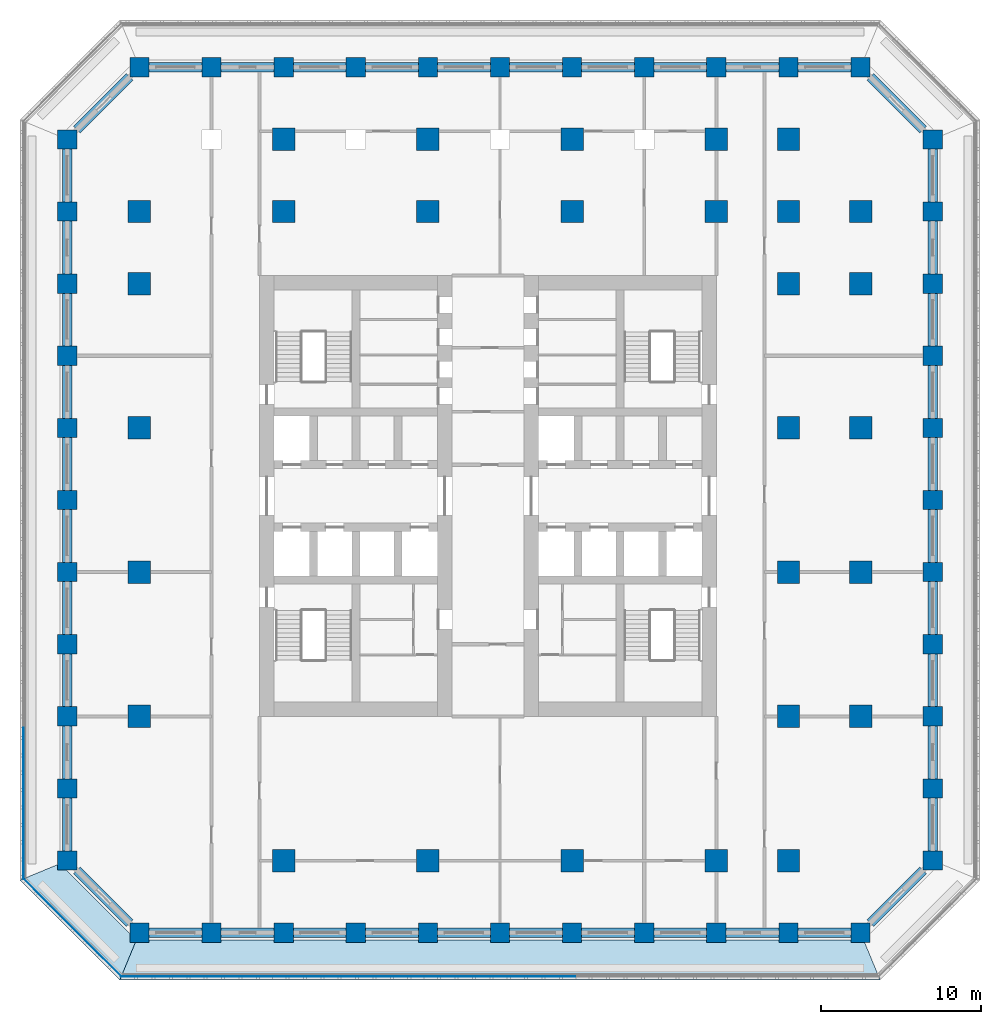
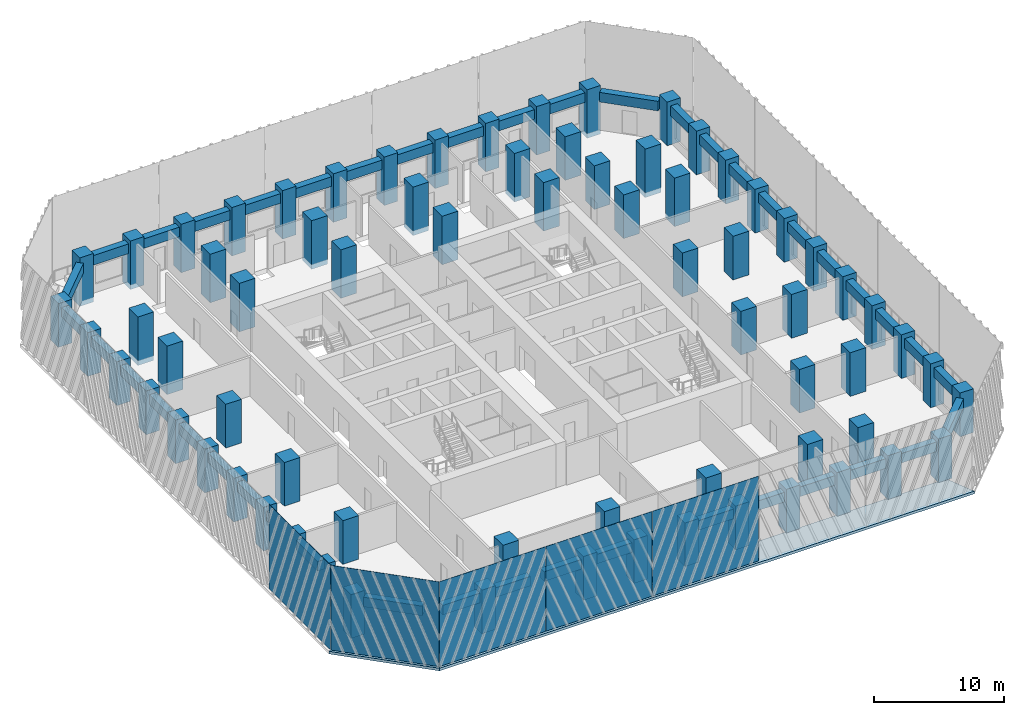
# One storey, part 1 of 19: 73 columns, 44 beams, 5 plates, 2 slabs.
"""IFC4 building model written with IfcOpenShell, lengths in metres."""

from ifc_helpers import new_model, si_unit, direction, frame, origin, origin_2d, place, context, subcontext, project, spatial, polyline, rectangle, outline, extrude, material, layer, layer_set, material_profile, profile_set, type_object, element, save


model = new_model("IFC4")

# Units and contexts
model_context = context("Model", 3, precision=1e-05, world=origin(), true_north=direction((0.0, 1.0)))
body_context = subcontext(model_context, "Body", "Model", "MODEL_VIEW")
ifc_project = project(units=[si_unit("LENGTHUNIT", "METRE"), si_unit("AREAUNIT", "SQUARE_METRE"), si_unit("VOLUMEUNIT", "CUBIC_METRE"), si_unit("PLANEANGLEUNIT", "RADIAN"), si_unit("MASSUNIT", "GRAM", prefix="KILO")], contexts=[model_context])

# Site, building, storey
site_placement = place(None, origin())
site = spatial("IfcSite", under=ifc_project, at=site_placement, CompositionType="ELEMENT")
building_placement = place(site_placement, origin())
building = spatial("IfcBuilding", under=site, at=building_placement, Name="Corbel Stack Research Tower", CompositionType="ELEMENT")
storey_placement = place(building_placement, frame((0.0, 0.0, 82.0)))
storey = spatial("IfcBuildingStorey", under=building, at=storey_placement, Name="L18", CompositionType="ELEMENT", Elevation=82.0)

# Columns
ifc_material_1 = material(Name="Concrete C70/85", Category="concrete")
ifc_material_profile_1 = material_profile(ifc_material_1, rectangle(XDim=1.199951171875, YDim=1.199951171875, at=origin_2d()), Name="RC 1200 x 1200")
ifc_profile_set_1 = profile_set([ifc_material_profile_1], Name="Concrete C70/85")
column_type_1 = type_object("IfcColumnType", Name="C-1200-70", PredefinedType="COLUMN", material=ifc_profile_set_1)
for number, where, z_axis, x_axis, name in (
    (1, (-22.5, -18.0, 0.0), (0.0, 0.0, 1.0), (1.0, 0.0, 0.0), "Column 3/D L18"),
    (2, (-22.5, -13.5, 0.0), (0.0, 0.0, 1.0), (1.0, 0.0, 0.0), "Column 3/E L18"),
    (3, (-22.5, -9.0, 0.0), (0.0, 0.0, 1.0), (1.0, 0.0, 0.0), "Column 3/F L18"),
    (4, (-22.5, -4.5, 0.0), (0.0, 0.0, 1.0), (1.0, 0.0, 0.0), "Column 3/G L18"),
    (5, (-22.5, 0.0, 0.0), (0.0, 0.0, 1.0), (1.0, 0.0, 0.0), "Column 3/H L18"),
    (6, (-22.5, 4.5, 0.0), (0.0, 0.0, 1.0), (1.0, 0.0, 0.0), "Column 3/J L18"),
    (7, (-22.5, 9.0, 0.0), (0.0, 0.0, 1.0), (1.0, 0.0, 0.0), "Column 3/K L18"),
    (8, (-22.5, 13.5, 0.0), (0.0, 0.0, 1.0), (1.0, 0.0, 0.0), "Column 3/L L18"),
    (9, (-22.5, 18.0, 0.0), (0.0, 0.0, 1.0), (1.0, 0.0, 0.0), "Column 3/M L18"),
    (10, (-22.5, 22.5, 0.0), (0.0, 0.0, 1.0), (1.0, 0.0, 0.0), "Column 3/N L18"),
    (11, (-22.5, 27.0, 0.0), (0.0, 0.0, 1.0), (1.0, 0.0, 0.0), "Column 3/P L18"),
    (12, (-18.0, -22.5, 0.0), (0.0, 0.0, 1.0), (1.0, 0.0, 0.0), "Column 4/C L18"),
):
    element("IfcColumn", number, at=place(storey_placement, frame(where, z_axis=z_axis, x_axis=x_axis)), inside=storey, type_object=column_type_1, Name=name, PredefinedType="COLUMN", context=body_context, shape_type="SweptSolid", body=[
        extrude(rectangle(XDim=1.199951171875, YDim=1.199951171875, at=origin_2d()), origin(), (0.0, 0.0, 1.0), 4.10009765625),
    ])
column_1_placement = place(storey_placement, frame((-18.0, 31.5, -0.449951171875), z_axis=(0.0, 0.0, 1.0), x_axis=(1.0, 0.0, 0.0)))
element("IfcColumn", 13, at=column_1_placement, inside=storey, type_object=column_type_1, Name="Column 4/Q L18", PredefinedType="COLUMN", context=body_context, shape_type="SweptSolid", body=[
    extrude(rectangle(XDim=1.199951171875, YDim=1.199951171875, at=origin_2d()), origin(), (0.0, 0.0, 1.0), 4.550048828125),
])
column_2_placement = place(storey_placement, frame((-13.5, -22.5, 0.0), z_axis=(0.0, 0.0, 1.0), x_axis=(1.0, 0.0, 0.0)))
element("IfcColumn", 14, at=column_2_placement, inside=storey, type_object=column_type_1, Name="Column 5/C L18", PredefinedType="COLUMN", context=body_context, shape_type="SweptSolid", body=[
    extrude(rectangle(XDim=1.199951171875, YDim=1.199951171875, at=origin_2d()), origin(), (0.0, 0.0, 1.0), 4.10009765625),
])
column_3_placement = place(storey_placement, frame((-13.5, 31.5, -0.449951171875), z_axis=(0.0, 0.0, 1.0), x_axis=(1.0, 0.0, 0.0)))
element("IfcColumn", 15, at=column_3_placement, inside=storey, type_object=column_type_1, Name="Column 5/Q L18", PredefinedType="COLUMN", context=body_context, shape_type="SweptSolid", body=[
    extrude(rectangle(XDim=1.199951171875, YDim=1.199951171875, at=origin_2d()), origin(), (0.0, 0.0, 1.0), 4.550048828125),
])
column_4_placement = place(storey_placement, frame((-9.0, -22.5, 0.0), z_axis=(0.0, 0.0, 1.0), x_axis=(1.0, 0.0, 0.0)))
element("IfcColumn", 16, at=column_4_placement, inside=storey, type_object=column_type_1, Name="Column 6/C L18", PredefinedType="COLUMN", context=body_context, shape_type="SweptSolid", body=[
    extrude(rectangle(XDim=1.199951171875, YDim=1.199951171875, at=origin_2d()), origin(), (0.0, 0.0, 1.0), 4.10009765625),
])
column_5_placement = place(storey_placement, frame((-9.0, 31.5, -0.449951171875), z_axis=(0.0, 0.0, 1.0), x_axis=(1.0, 0.0, 0.0)))
element("IfcColumn", 17, at=column_5_placement, inside=storey, type_object=column_type_1, Name="Column 6/Q L18", PredefinedType="COLUMN", context=body_context, shape_type="SweptSolid", body=[
    extrude(rectangle(XDim=1.199951171875, YDim=1.199951171875, at=origin_2d()), origin(), (0.0, 0.0, 1.0), 4.550048828125),
])
column_6_placement = place(storey_placement, frame((-4.5, -22.5, 0.0), z_axis=(0.0, 0.0, 1.0), x_axis=(1.0, 0.0, 0.0)))
element("IfcColumn", 18, at=column_6_placement, inside=storey, type_object=column_type_1, Name="Column 7/C L18", PredefinedType="COLUMN", context=body_context, shape_type="SweptSolid", body=[
    extrude(rectangle(XDim=1.199951171875, YDim=1.199951171875, at=origin_2d()), origin(), (0.0, 0.0, 1.0), 4.10009765625),
])
column_7_placement = place(storey_placement, frame((-4.5, 31.5, -0.449951171875), z_axis=(0.0, 0.0, 1.0), x_axis=(1.0, 0.0, 0.0)))
element("IfcColumn", 19, at=column_7_placement, inside=storey, type_object=column_type_1, Name="Column 7/Q L18", PredefinedType="COLUMN", context=body_context, shape_type="SweptSolid", body=[
    extrude(rectangle(XDim=1.199951171875, YDim=1.199951171875, at=origin_2d()), origin(), (0.0, 0.0, 1.0), 4.550048828125),
])
column_8_placement = place(storey_placement, frame((0.0, -22.5, 0.0), z_axis=(0.0, 0.0, 1.0), x_axis=(1.0, 0.0, 0.0)))
element("IfcColumn", 20, at=column_8_placement, inside=storey, type_object=column_type_1, Name="Column 8/C L18", PredefinedType="COLUMN", context=body_context, shape_type="SweptSolid", body=[
    extrude(rectangle(XDim=1.199951171875, YDim=1.199951171875, at=origin_2d()), origin(), (0.0, 0.0, 1.0), 4.10009765625),
])
column_9_placement = place(storey_placement, frame((0.0, 31.5, -0.449951171875), z_axis=(0.0, 0.0, 1.0), x_axis=(1.0, 0.0, 0.0)))
element("IfcColumn", 21, at=column_9_placement, inside=storey, type_object=column_type_1, Name="Column 8/Q L18", PredefinedType="COLUMN", context=body_context, shape_type="SweptSolid", body=[
    extrude(rectangle(XDim=1.199951171875, YDim=1.199951171875, at=origin_2d()), origin(), (0.0, 0.0, 1.0), 4.550048828125),
])
column_10_placement = place(storey_placement, frame((4.5, -22.5, 0.0), z_axis=(0.0, 0.0, 1.0), x_axis=(1.0, 0.0, 0.0)))
element("IfcColumn", 22, at=column_10_placement, inside=storey, type_object=column_type_1, Name="Column 9/C L18", PredefinedType="COLUMN", context=body_context, shape_type="SweptSolid", body=[
    extrude(rectangle(XDim=1.199951171875, YDim=1.199951171875, at=origin_2d()), origin(), (0.0, 0.0, 1.0), 4.10009765625),
])
column_11_placement = place(storey_placement, frame((4.5, 31.5, -0.449951171875), z_axis=(0.0, 0.0, 1.0), x_axis=(1.0, 0.0, 0.0)))
element("IfcColumn", 23, at=column_11_placement, inside=storey, type_object=column_type_1, Name="Column 9/Q L18", PredefinedType="COLUMN", context=body_context, shape_type="SweptSolid", body=[
    extrude(rectangle(XDim=1.199951171875, YDim=1.199951171875, at=origin_2d()), origin(), (0.0, 0.0, 1.0), 4.550048828125),
])
column_12_placement = place(storey_placement, frame((9.0, -22.5, 0.0), z_axis=(0.0, 0.0, 1.0), x_axis=(1.0, 0.0, 0.0)))
element("IfcColumn", 24, at=column_12_placement, inside=storey, type_object=column_type_1, Name="Column 10/C L18", PredefinedType="COLUMN", context=body_context, shape_type="SweptSolid", body=[
    extrude(rectangle(XDim=1.199951171875, YDim=1.199951171875, at=origin_2d()), origin(), (0.0, 0.0, 1.0), 4.10009765625),
])
column_13_placement = place(storey_placement, frame((9.0, 31.5, -0.449951171875), z_axis=(0.0, 0.0, 1.0), x_axis=(1.0, 0.0, 0.0)))
element("IfcColumn", 25, at=column_13_placement, inside=storey, type_object=column_type_1, Name="Column 10/Q L18", PredefinedType="COLUMN", context=body_context, shape_type="SweptSolid", body=[
    extrude(rectangle(XDim=1.199951171875, YDim=1.199951171875, at=origin_2d()), origin(), (0.0, 0.0, 1.0), 4.550048828125),
])
column_14_placement = place(storey_placement, frame((13.5, -22.5, 0.0), z_axis=(0.0, 0.0, 1.0), x_axis=(1.0, 0.0, 0.0)))
element("IfcColumn", 26, at=column_14_placement, inside=storey, type_object=column_type_1, Name="Column 11/C L18", PredefinedType="COLUMN", context=body_context, shape_type="SweptSolid", body=[
    extrude(rectangle(XDim=1.199951171875, YDim=1.199951171875, at=origin_2d()), origin(), (0.0, 0.0, 1.0), 4.10009765625),
])
column_15_placement = place(storey_placement, frame((13.5, 31.5, -0.449951171875), z_axis=(0.0, 0.0, 1.0), x_axis=(1.0, 0.0, 0.0)))
element("IfcColumn", 27, at=column_15_placement, inside=storey, type_object=column_type_1, Name="Column 11/Q L18", PredefinedType="COLUMN", context=body_context, shape_type="SweptSolid", body=[
    extrude(rectangle(XDim=1.199951171875, YDim=1.199951171875, at=origin_2d()), origin(), (0.0, 0.0, 1.0), 4.550048828125),
])
column_16_placement = place(storey_placement, frame((18.0, -22.5, 0.0), z_axis=(0.0, 0.0, 1.0), x_axis=(1.0, 0.0, 0.0)))
element("IfcColumn", 28, at=column_16_placement, inside=storey, type_object=column_type_1, Name="Column 12/C L18", PredefinedType="COLUMN", context=body_context, shape_type="SweptSolid", body=[
    extrude(rectangle(XDim=1.199951171875, YDim=1.199951171875, at=origin_2d()), origin(), (0.0, 0.0, 1.0), 4.10009765625),
])
column_17_placement = place(storey_placement, frame((18.0, 31.5, -0.449951171875), z_axis=(0.0, 0.0, 1.0), x_axis=(1.0, 0.0, 0.0)))
element("IfcColumn", 29, at=column_17_placement, inside=storey, type_object=column_type_1, Name="Column 12/Q L18", PredefinedType="COLUMN", context=body_context, shape_type="SweptSolid", body=[
    extrude(rectangle(XDim=1.199951171875, YDim=1.199951171875, at=origin_2d()), origin(), (0.0, 0.0, 1.0), 4.550048828125),
])
column_18_placement = place(storey_placement, frame((22.5, -22.5, 0.0), z_axis=(0.0, 0.0, 1.0), x_axis=(1.0, 0.0, 0.0)))
element("IfcColumn", 30, at=column_18_placement, inside=storey, type_object=column_type_1, Name="Column 13/C L18", PredefinedType="COLUMN", context=body_context, shape_type="SweptSolid", body=[
    extrude(rectangle(XDim=1.199951171875, YDim=1.199951171875, at=origin_2d()), origin(), (0.0, 0.0, 1.0), 4.10009765625),
])
column_19_placement = place(storey_placement, frame((22.5, 31.5, -0.449951171875), z_axis=(0.0, 0.0, 1.0), x_axis=(1.0, 0.0, 0.0)))
element("IfcColumn", 31, at=column_19_placement, inside=storey, type_object=column_type_1, Name="Column 13/Q L18", PredefinedType="COLUMN", context=body_context, shape_type="SweptSolid", body=[
    extrude(rectangle(XDim=1.199951171875, YDim=1.199951171875, at=origin_2d()), origin(), (0.0, 0.0, 1.0), 4.550048828125),
])
column_20_placement = place(storey_placement, frame((27.0, -22.5, 0.0), z_axis=(0.0, 0.0, 1.0), x_axis=(1.0, 0.0, 0.0)))
element("IfcColumn", 32, at=column_20_placement, inside=storey, type_object=column_type_1, Name="Column 14/C L18", PredefinedType="COLUMN", context=body_context, shape_type="SweptSolid", body=[
    extrude(rectangle(XDim=1.199951171875, YDim=1.199951171875, at=origin_2d()), origin(), (0.0, 0.0, 1.0), 4.10009765625),
])
column_21_placement = place(storey_placement, frame((27.0, 31.5, -0.449951171875), z_axis=(0.0, 0.0, 1.0), x_axis=(1.0, 0.0, 0.0)))
element("IfcColumn", 33, at=column_21_placement, inside=storey, type_object=column_type_1, Name="Column 14/Q L18", PredefinedType="COLUMN", context=body_context, shape_type="SweptSolid", body=[
    extrude(rectangle(XDim=1.199951171875, YDim=1.199951171875, at=origin_2d()), origin(), (0.0, 0.0, 1.0), 4.550048828125),
])
for number, where, z_axis, x_axis, name in (
    (34, (31.5, -18.0, 0.0), (0.0, 0.0, 1.0), (1.0, 0.0, 0.0), "Column 15/D L18"),
    (35, (31.5, -13.5, 0.0), (0.0, 0.0, 1.0), (1.0, 0.0, 0.0), "Column 15/E L18"),
    (36, (31.5, -9.0, 0.0), (0.0, 0.0, 1.0), (1.0, 0.0, 0.0), "Column 15/F L18"),
    (37, (31.5, -4.5, 0.0), (0.0, 0.0, 1.0), (1.0, 0.0, 0.0), "Column 15/G L18"),
    (38, (31.5, 0.0, 0.0), (0.0, 0.0, 1.0), (1.0, 0.0, 0.0), "Column 15/H L18"),
    (39, (31.5, 4.5, 0.0), (0.0, 0.0, 1.0), (1.0, 0.0, 0.0), "Column 15/J L18"),
    (40, (31.5, 9.0, 0.0), (0.0, 0.0, 1.0), (1.0, 0.0, 0.0), "Column 15/K L18"),
    (41, (31.5, 13.5, 0.0), (0.0, 0.0, 1.0), (1.0, 0.0, 0.0), "Column 15/L L18"),
    (42, (31.5, 18.0, 0.0), (0.0, 0.0, 1.0), (1.0, 0.0, 0.0), "Column 15/M L18"),
    (43, (31.5, 22.5, 0.0), (0.0, 0.0, 1.0), (1.0, 0.0, 0.0), "Column 15/N L18"),
    (44, (31.5, 27.0, 0.0), (0.0, 0.0, 1.0), (1.0, 0.0, 0.0), "Column 15/P L18"),
):
    element("IfcColumn", number, at=place(storey_placement, frame(where, z_axis=z_axis, x_axis=x_axis)), inside=storey, type_object=column_type_1, Name=name, PredefinedType="COLUMN", context=body_context, shape_type="SweptSolid", body=[
        extrude(rectangle(XDim=1.199951171875, YDim=1.199951171875, at=origin_2d()), origin(), (0.0, 0.0, 1.0), 4.10009765625),
    ])
ifc_material_2 = material(Name="Concrete C70/85", Category="concrete")
ifc_material_profile_2 = material_profile(ifc_material_2, rectangle(XDim=1.39990234375, YDim=1.39990234375, at=origin_2d()), Name="RC 1400 x 1400")
ifc_profile_set_2 = profile_set([ifc_material_profile_2], Name="Concrete C70/85")
column_type_2 = type_object("IfcColumnType", Name="C-1400-70", PredefinedType="COLUMN", material=ifc_profile_set_2)
for number, where, z_axis, x_axis, name in (
    (45, (-18.0, -9.0, 0.0), (0.0, 0.0, 1.0), (1.0, 0.0, 0.0), "Column 4/F L18"),
    (46, (-18.0, 0.0, 0.0), (0.0, 0.0, 1.0), (1.0, 0.0, 0.0), "Column 4/H L18"),
    (47, (-18.0, 9.0, 0.0), (0.0, 0.0, 1.0), (1.0, 0.0, 0.0), "Column 4/K L18"),
):
    element("IfcColumn", number, at=place(storey_placement, frame(where, z_axis=z_axis, x_axis=x_axis)), inside=storey, type_object=column_type_2, Name=name, PredefinedType="COLUMN", context=body_context, shape_type="SweptSolid", body=[
        extrude(rectangle(XDim=1.39990234375, YDim=1.39990234375, at=origin_2d()), origin(), (0.0, 0.0, 1.0), 4.10009765625),
    ])
for number, where, z_axis, x_axis, name in (
    (48, (-18.0, 18.0, -0.449951171875), (0.0, 0.0, 1.0), (1.0, 0.0, 0.0), "Column 4/M L18"),
    (49, (-18.0, 22.5, -0.449951171875), (0.0, 0.0, 1.0), (1.0, 0.0, 0.0), "Column 4/N L18"),
):
    element("IfcColumn", number, at=place(storey_placement, frame(where, z_axis=z_axis, x_axis=x_axis)), inside=storey, type_object=column_type_2, Name=name, PredefinedType="COLUMN", context=body_context, shape_type="SweptSolid", body=[
        extrude(rectangle(XDim=1.39990234375, YDim=1.39990234375, at=origin_2d()), origin(), (0.0, 0.0, 1.0), 4.550048828125),
    ])
column_22_placement = place(storey_placement, frame((-9.0, -18.0, 0.0), z_axis=(0.0, 0.0, 1.0), x_axis=(1.0, 0.0, 0.0)))
element("IfcColumn", 50, at=column_22_placement, inside=storey, type_object=column_type_2, Name="Column 6/D L18", PredefinedType="COLUMN", context=body_context, shape_type="SweptSolid", body=[
    extrude(rectangle(XDim=1.39990234375, YDim=1.39990234375, at=origin_2d()), origin(), (0.0, 0.0, 1.0), 4.10009765625),
])
for number, where, z_axis, x_axis, name in (
    (51, (-9.0, 22.5, -0.449951171875), (0.0, 0.0, 1.0), (1.0, 0.0, 0.0), "Column 6/N L18"),
    (52, (-9.0, 27.0, -0.449951171875), (0.0, 0.0, 1.0), (1.0, 0.0, 0.0), "Column 6/P L18"),
):
    element("IfcColumn", number, at=place(storey_placement, frame(where, z_axis=z_axis, x_axis=x_axis)), inside=storey, type_object=column_type_2, Name=name, PredefinedType="COLUMN", context=body_context, shape_type="SweptSolid", body=[
        extrude(rectangle(XDim=1.39990234375, YDim=1.39990234375, at=origin_2d()), origin(), (0.0, 0.0, 1.0), 4.550048828125),
    ])
column_23_placement = place(storey_placement, frame((0.0, -18.0, 0.0), z_axis=(0.0, 0.0, 1.0), x_axis=(1.0, 0.0, 0.0)))
element("IfcColumn", 53, at=column_23_placement, inside=storey, type_object=column_type_2, Name="Column 8/D L18", PredefinedType="COLUMN", context=body_context, shape_type="SweptSolid", body=[
    extrude(rectangle(XDim=1.39990234375, YDim=1.39990234375, at=origin_2d()), origin(), (0.0, 0.0, 1.0), 4.10009765625),
])
for number, where, z_axis, x_axis, name in (
    (54, (0.0, 22.5, -0.449951171875), (0.0, 0.0, 1.0), (1.0, 0.0, 0.0), "Column 8/N L18"),
    (55, (0.0, 27.0, -0.449951171875), (0.0, 0.0, 1.0), (1.0, 0.0, 0.0), "Column 8/P L18"),
):
    element("IfcColumn", number, at=place(storey_placement, frame(where, z_axis=z_axis, x_axis=x_axis)), inside=storey, type_object=column_type_2, Name=name, PredefinedType="COLUMN", context=body_context, shape_type="SweptSolid", body=[
        extrude(rectangle(XDim=1.39990234375, YDim=1.39990234375, at=origin_2d()), origin(), (0.0, 0.0, 1.0), 4.550048828125),
    ])
column_24_placement = place(storey_placement, frame((9.0, -18.0, 0.0), z_axis=(0.0, 0.0, 1.0), x_axis=(1.0, 0.0, 0.0)))
element("IfcColumn", 56, at=column_24_placement, inside=storey, type_object=column_type_2, Name="Column 10/D L18", PredefinedType="COLUMN", context=body_context, shape_type="SweptSolid", body=[
    extrude(rectangle(XDim=1.39990234375, YDim=1.39990234375, at=origin_2d()), origin(), (0.0, 0.0, 1.0), 4.10009765625),
])
for number, where, z_axis, x_axis, name in (
    (57, (9.0, 22.5, -0.449951171875), (0.0, 0.0, 1.0), (1.0, 0.0, 0.0), "Column 10/N L18"),
    (58, (9.0, 27.0, -0.449951171875), (0.0, 0.0, 1.0), (1.0, 0.0, 0.0), "Column 10/P L18"),
):
    element("IfcColumn", number, at=place(storey_placement, frame(where, z_axis=z_axis, x_axis=x_axis)), inside=storey, type_object=column_type_2, Name=name, PredefinedType="COLUMN", context=body_context, shape_type="SweptSolid", body=[
        extrude(rectangle(XDim=1.39990234375, YDim=1.39990234375, at=origin_2d()), origin(), (0.0, 0.0, 1.0), 4.550048828125),
    ])
column_25_placement = place(storey_placement, frame((18.0, -18.0, 0.0), z_axis=(0.0, 0.0, 1.0), x_axis=(1.0, 0.0, 0.0)))
element("IfcColumn", 59, at=column_25_placement, inside=storey, type_object=column_type_2, Name="Column 12/D L18", PredefinedType="COLUMN", context=body_context, shape_type="SweptSolid", body=[
    extrude(rectangle(XDim=1.39990234375, YDim=1.39990234375, at=origin_2d()), origin(), (0.0, 0.0, 1.0), 4.10009765625),
])
for number, where, z_axis, x_axis, name in (
    (60, (18.0, 22.5, -0.449951171875), (0.0, 0.0, 1.0), (1.0, 0.0, 0.0), "Column 12/N L18"),
    (61, (18.0, 27.0, -0.449951171875), (0.0, 0.0, 1.0), (1.0, 0.0, 0.0), "Column 12/P L18"),
):
    element("IfcColumn", number, at=place(storey_placement, frame(where, z_axis=z_axis, x_axis=x_axis)), inside=storey, type_object=column_type_2, Name=name, PredefinedType="COLUMN", context=body_context, shape_type="SweptSolid", body=[
        extrude(rectangle(XDim=1.39990234375, YDim=1.39990234375, at=origin_2d()), origin(), (0.0, 0.0, 1.0), 4.550048828125),
    ])
for number, where, z_axis, x_axis, name in (
    (62, (22.5, -18.0, 0.0), (0.0, 0.0, 1.0), (1.0, 0.0, 0.0), "Column 13/D L18"),
    (63, (22.5, -9.0, 0.0), (0.0, 0.0, 1.0), (1.0, 0.0, 0.0), "Column 13/F L18"),
    (64, (22.5, 0.0, 0.0), (0.0, 0.0, 1.0), (1.0, 0.0, 0.0), "Column 13/H L18"),
    (65, (22.5, 9.0, 0.0), (0.0, 0.0, 1.0), (1.0, 0.0, 0.0), "Column 13/K L18"),
    (66, (22.5, 18.0, 0.0), (0.0, 0.0, 1.0), (1.0, 0.0, 0.0), "Column 13/M L18"),
    (67, (22.5, 22.5, 0.0), (0.0, 0.0, 1.0), (1.0, 0.0, 0.0), "Column 13/N L18"),
    (68, (22.5, 27.0, 0.0), (0.0, 0.0, 1.0), (1.0, 0.0, 0.0), "Column 13/P L18"),
    (69, (27.0, -9.0, 0.0), (0.0, 0.0, 1.0), (1.0, 0.0, 0.0), "Column 14/F L18"),
    (70, (27.0, 0.0, 0.0), (0.0, 0.0, 1.0), (1.0, 0.0, 0.0), "Column 14/H L18"),
    (71, (27.0, 9.0, 0.0), (0.0, 0.0, 1.0), (1.0, 0.0, 0.0), "Column 14/K L18"),
):
    element("IfcColumn", number, at=place(storey_placement, frame(where, z_axis=z_axis, x_axis=x_axis)), inside=storey, type_object=column_type_2, Name=name, PredefinedType="COLUMN", context=body_context, shape_type="SweptSolid", body=[
        extrude(rectangle(XDim=1.39990234375, YDim=1.39990234375, at=origin_2d()), origin(), (0.0, 0.0, 1.0), 4.10009765625),
    ])
for number, where, z_axis, x_axis, name in (
    (72, (27.0, 18.0, -0.449951171875), (0.0, 0.0, 1.0), (1.0, 0.0, 0.0), "Column 14/M L18"),
    (73, (27.0, 22.5, -0.449951171875), (0.0, 0.0, 1.0), (1.0, 0.0, 0.0), "Column 14/N L18"),
):
    element("IfcColumn", number, at=place(storey_placement, frame(where, z_axis=z_axis, x_axis=x_axis)), inside=storey, type_object=column_type_2, Name=name, PredefinedType="COLUMN", context=body_context, shape_type="SweptSolid", body=[
        extrude(rectangle(XDim=1.39990234375, YDim=1.39990234375, at=origin_2d()), origin(), (0.0, 0.0, 1.0), 4.550048828125),
    ])

# Beams
ifc_material_3 = material(Name="Concrete C60/75", Category="concrete")
ifc_material_profile_3 = material_profile(ifc_material_3, rectangle(XDim=0.60009765625, YDim=0.89990234375, at=origin_2d()), Name="RC 600 x 900")
ifc_profile_set_3 = profile_set([ifc_material_profile_3], Name="Concrete C60/75")
beam_type = type_object("IfcBeamType", Name="SB-600-900-450", PredefinedType="SPANDREL", material=ifc_profile_set_3)
for number, where, z_axis, x_axis, name in (
    (74, (-17.39990234375, -22.5, 3.199951171875), (1.0, 0.0, 0.0), (0.0, 1.0, 0.0), "Spandrel beam L18-01"),
    (75, (-12.89990234375, -22.5, 3.199951171875), (1.0, 0.0, 0.0), (0.0, 1.0, 0.0), "Spandrel beam L18-02"),
    (76, (-8.39990234375, -22.5, 3.199951171875), (1.0, 0.0, 0.0), (0.0, 1.0, 0.0), "Spandrel beam L18-03"),
    (77, (-3.89990234375, -22.5, 3.199951171875), (1.0, 0.0, 0.0), (0.0, 1.0, 0.0), "Spandrel beam L18-04"),
    (78, (0.60009765625, -22.5, 3.199951171875), (1.0, 0.0, 0.0), (0.0, 1.0, 0.0), "Spandrel beam L18-05"),
    (79, (5.10009765625, -22.5, 3.199951171875), (1.0, 0.0, 0.0), (0.0, 1.0, 0.0), "Spandrel beam L18-06"),
    (80, (9.60009765625, -22.5, 3.199951171875), (1.0, 0.0, 0.0), (0.0, 1.0, 0.0), "Spandrel beam L18-07"),
    (81, (14.10009765625, -22.5, 3.199951171875), (1.0, 0.0, 0.0), (0.0, 1.0, 0.0), "Spandrel beam L18-08"),
    (82, (18.60009765625, -22.5, 3.199951171875), (1.0, 0.0, 0.0), (0.0, 1.0, 0.0), "Spandrel beam L18-09"),
    (83, (23.10009765625, -22.5, 3.199951171875), (1.0, 0.0, 0.0), (0.0, 1.0, 0.0), "Spandrel beam L18-10"),
):
    element("IfcBeam", number, at=place(storey_placement, frame(where, z_axis=z_axis, x_axis=x_axis)), inside=storey, type_object=beam_type, Name=name, PredefinedType="SPANDREL", context=body_context, shape_type="SweptSolid", body=[
        extrude(rectangle(XDim=0.60009765625, YDim=0.89990234375, at=origin_2d()), origin(), (0.0, 0.0, 1.0), 3.2998046875),
    ])
beam_1_placement = place(storey_placement, frame((27.60009765625, -21.89990234375, 3.199951171875), z_axis=(0.707106781187, 0.707106781187, 0.0), x_axis=(-0.707106781187, 0.707106781187, 0.0)))
element("IfcBeam", 84, at=beam_1_placement, inside=storey, type_object=beam_type, Name="Spandrel beam L18-11", PredefinedType="SPANDREL", context=body_context, shape_type="SweptSolid", body=[
    extrude(rectangle(XDim=0.60009765625, YDim=0.89990234375, at=origin_2d()), origin(), (0.0, 0.0, 1.0), 4.666748046875),
])
for number, where, z_axis, x_axis, name in (
    (85, (31.5, -17.39990234375, 3.199951171875), (0.0, 1.0, 0.0), (-1.0, 0.0, 0.0), "Spandrel beam L18-12"),
    (86, (31.5, -12.89990234375, 3.199951171875), (0.0, 1.0, 0.0), (-1.0, 0.0, 0.0), "Spandrel beam L18-13"),
    (87, (31.5, -8.39990234375, 3.199951171875), (0.0, 1.0, 0.0), (-1.0, 0.0, 0.0), "Spandrel beam L18-14"),
    (88, (31.5, -3.89990234375, 3.199951171875), (0.0, 1.0, 0.0), (-1.0, 0.0, 0.0), "Spandrel beam L18-15"),
    (89, (31.5, 0.60009765625, 3.199951171875), (0.0, 1.0, 0.0), (-1.0, 0.0, 0.0), "Spandrel beam L18-16"),
    (90, (31.5, 5.10009765625, 3.199951171875), (0.0, 1.0, 0.0), (-1.0, 0.0, 0.0), "Spandrel beam L18-17"),
    (91, (31.5, 9.60009765625, 3.199951171875), (0.0, 1.0, 0.0), (-1.0, 0.0, 0.0), "Spandrel beam L18-18"),
    (92, (31.5, 14.10009765625, 3.199951171875), (0.0, 1.0, 0.0), (-1.0, 0.0, 0.0), "Spandrel beam L18-19"),
    (93, (31.5, 18.60009765625, 3.199951171875), (0.0, 1.0, 0.0), (-1.0, 0.0, 0.0), "Spandrel beam L18-20"),
    (94, (31.5, 23.10009765625, 3.199951171875), (0.0, 1.0, 0.0), (-1.0, 0.0, 0.0), "Spandrel beam L18-21"),
):
    element("IfcBeam", number, at=place(storey_placement, frame(where, z_axis=z_axis, x_axis=x_axis)), inside=storey, type_object=beam_type, Name=name, PredefinedType="SPANDREL", context=body_context, shape_type="SweptSolid", body=[
        extrude(rectangle(XDim=0.60009765625, YDim=0.89990234375, at=origin_2d()), origin(), (0.0, 0.0, 1.0), 3.2998046875),
    ])
beam_2_placement = place(storey_placement, frame((30.89990234375, 27.60009765625, 3.199951171875), z_axis=(-0.707106781187, 0.707106781187, 0.0), x_axis=(-0.707106781187, -0.707106781187, 0.0)))
element("IfcBeam", 95, at=beam_2_placement, inside=storey, type_object=beam_type, Name="Spandrel beam L18-22", PredefinedType="SPANDREL", context=body_context, shape_type="SweptSolid", body=[
    extrude(rectangle(XDim=0.60009765625, YDim=0.89990234375, at=origin_2d()), origin(), (0.0, 0.0, 1.0), 4.666748046875),
])
for number, where, z_axis, x_axis, name in (
    (96, (26.39990234375, 31.5, 3.199951171875), (-1.0, 0.0, 0.0), (0.0, -1.0, 0.0), "Spandrel beam L18-23"),
    (97, (21.89990234375, 31.5, 3.199951171875), (-1.0, 0.0, 0.0), (0.0, -1.0, 0.0), "Spandrel beam L18-24"),
    (98, (17.39990234375, 31.5, 3.199951171875), (-1.0, 0.0, 0.0), (0.0, -1.0, 0.0), "Spandrel beam L18-25"),
    (99, (12.89990234375, 31.5, 3.199951171875), (-1.0, 0.0, 0.0), (0.0, -1.0, 0.0), "Spandrel beam L18-26"),
    (100, (8.39990234375, 31.5, 3.199951171875), (-1.0, 0.0, 0.0), (0.0, -1.0, 0.0), "Spandrel beam L18-27"),
    (101, (3.89990234375, 31.5, 3.199951171875), (-1.0, 0.0, 0.0), (0.0, -1.0, 0.0), "Spandrel beam L18-28"),
    (102, (-0.60009765625, 31.5, 3.199951171875), (-1.0, 0.0, 0.0), (0.0, -1.0, 0.0), "Spandrel beam L18-29"),
    (103, (-5.10009765625, 31.5, 3.199951171875), (-1.0, 0.0, 0.0), (0.0, -1.0, 0.0), "Spandrel beam L18-30"),
    (104, (-9.60009765625, 31.5, 3.199951171875), (-1.0, 0.0, 0.0), (0.0, -1.0, 0.0), "Spandrel beam L18-31"),
    (105, (-14.10009765625, 31.5, 3.199951171875), (-1.0, 0.0, 0.0), (0.0, -1.0, 0.0), "Spandrel beam L18-32"),
):
    element("IfcBeam", number, at=place(storey_placement, frame(where, z_axis=z_axis, x_axis=x_axis)), inside=storey, type_object=beam_type, Name=name, PredefinedType="SPANDREL", context=body_context, shape_type="SweptSolid", body=[
        extrude(rectangle(XDim=0.60009765625, YDim=0.89990234375, at=origin_2d()), origin(), (0.0, 0.0, 1.0), 3.2998046875),
    ])
beam_3_placement = place(storey_placement, frame((-18.60009765625, 30.89990234375, 3.199951171875), z_axis=(-0.707106781187, -0.707106781187, 0.0), x_axis=(0.707106781187, -0.707106781187, 0.0)))
element("IfcBeam", 106, at=beam_3_placement, inside=storey, type_object=beam_type, Name="Spandrel beam L18-33", PredefinedType="SPANDREL", context=body_context, shape_type="SweptSolid", body=[
    extrude(rectangle(XDim=0.60009765625, YDim=0.89990234375, at=origin_2d()), origin(), (0.0, 0.0, 1.0), 4.666748046875),
])
for number, where, z_axis, x_axis, name in (
    (107, (-22.5, 26.39990234375, 3.199951171875), (0.0, -1.0, 0.0), (1.0, 0.0, 0.0), "Spandrel beam L18-34"),
    (108, (-22.5, 21.89990234375, 3.199951171875), (0.0, -1.0, 0.0), (1.0, 0.0, 0.0), "Spandrel beam L18-35"),
    (109, (-22.5, 17.39990234375, 3.199951171875), (0.0, -1.0, 0.0), (1.0, 0.0, 0.0), "Spandrel beam L18-36"),
    (110, (-22.5, 12.89990234375, 3.199951171875), (0.0, -1.0, 0.0), (1.0, 0.0, 0.0), "Spandrel beam L18-37"),
    (111, (-22.5, 8.39990234375, 3.199951171875), (0.0, -1.0, 0.0), (1.0, 0.0, 0.0), "Spandrel beam L18-38"),
    (112, (-22.5, 3.89990234375, 3.199951171875), (0.0, -1.0, 0.0), (1.0, 0.0, 0.0), "Spandrel beam L18-39"),
    (113, (-22.5, -0.60009765625, 3.199951171875), (0.0, -1.0, 0.0), (1.0, 0.0, 0.0), "Spandrel beam L18-40"),
    (114, (-22.5, -5.10009765625, 3.199951171875), (0.0, -1.0, 0.0), (1.0, 0.0, 0.0), "Spandrel beam L18-41"),
    (115, (-22.5, -9.60009765625, 3.199951171875), (0.0, -1.0, 0.0), (1.0, 0.0, 0.0), "Spandrel beam L18-42"),
    (116, (-22.5, -14.10009765625, 3.199951171875), (0.0, -1.0, 0.0), (1.0, 0.0, 0.0), "Spandrel beam L18-43"),
):
    element("IfcBeam", number, at=place(storey_placement, frame(where, z_axis=z_axis, x_axis=x_axis)), inside=storey, type_object=beam_type, Name=name, PredefinedType="SPANDREL", context=body_context, shape_type="SweptSolid", body=[
        extrude(rectangle(XDim=0.60009765625, YDim=0.89990234375, at=origin_2d()), origin(), (0.0, 0.0, 1.0), 3.2998046875),
    ])
beam_4_placement = place(storey_placement, frame((-21.89990234375, -18.60009765625, 3.199951171875), z_axis=(0.707106781187, -0.707106781187, 0.0), x_axis=(0.707106781187, 0.707106781187, 0.0)))
element("IfcBeam", 117, at=beam_4_placement, inside=storey, type_object=beam_type, Name="Spandrel beam L18-44", PredefinedType="SPANDREL", context=body_context, shape_type="SweptSolid", body=[
    extrude(rectangle(XDim=0.60009765625, YDim=0.89990234375, at=origin_2d()), origin(), (0.0, 0.0, 1.0), 4.666748046875),
])

# Plates
ifc_material_4 = material(Name="Fritted glass", Category="glass")
ifc_layer_1 = layer(ifc_material_4, 0.02490234375)
ifc_layer_set_1 = layer_set([ifc_layer_1], Name="Fritted glass")
plate_type = type_object("IfcPlateType", Name="Fritted glass panel 25", PredefinedType="SHEET", material=ifc_layer_set_1)
for number, where, z_axis, x_axis, name in (
    (118, (-14.411376953125, -25.237548828125, 0.0), (0.0, 0.0, 1.0), (1.0, 0.0, 0.0), "Fritted glass L18 S1"),
    (119, (-4.95556640625, -25.237548828125, 0.0), (0.0, 0.0, 1.0), (1.0, 0.0, 0.0), "Fritted glass L18 S2"),
    (120, (4.5, -25.237548828125, 0.0), (0.0, 0.0, 1.0), (1.0, 0.0, 0.0), "Fritted glass L18 S3"),
    (121, (-25.237548828125, -14.411376953125, 0.0), (0.0, 0.0, 1.0), (0.0, -1.0, 0.0), "Fritted glass L18 W5"),
):
    element("IfcPlate", number, at=place(storey_placement, frame(where, z_axis=z_axis, x_axis=x_axis)), inside=storey, type_object=plate_type, Name=name, PredefinedType="SHEET", context=body_context, shape_type="SweptSolid", body=[
        extrude(rectangle(XDim=9.3955078125, YDim=0.02490234375, at=origin_2d()), origin(), (0.0, 0.0, 1.0), 7.949951171875),
    ])
plate_placement = place(storey_placement, frame((-22.185791015625, -22.185791015625, 0.0), z_axis=(0.0, 0.0, 1.0), x_axis=(0.707106781187, -0.707106781187, 0.0)))
element("IfcPlate", 122, at=plate_placement, inside=storey, type_object=plate_type, Name="Fritted glass L18 SW1", PredefinedType="SHEET", context=body_context, shape_type="SweptSolid", body=[
    extrude(rectangle(XDim=8.58203125, YDim=0.02490234375, at=origin_2d()), origin(), (0.0, 0.0, 1.0), 7.949951171875),
])

# Slabs
ifc_material_5 = material(Name="Concrete C45/55", Category="concrete")
ifc_layer_2 = layer(ifc_material_5, 0.25)
ifc_layer_set_2 = layer_set([ifc_layer_2], Name="Concrete C45/55")
slab_type = type_object("IfcSlabType", Name="PT balcony slab 250 C45/55", PredefinedType="FLOOR", material=ifc_layer_set_2)
slab_1_placement = place(storey_placement, frame((0.0, 0.0, -0.25)))
element("IfcSlab", 123, at=slab_1_placement, inside=storey, type_object=slab_type, Name="Loggia slab L18 S", PredefinedType="FLOOR", context=body_context, shape_type="SweptSolid", body=[
    extrude(outline(polyline([(27.24853515625, -23.10009765625), (26.39990234375, -23.10009765625), (26.39990234375, -22.949951171875), (23.10009765625, -22.949951171875), (23.10009765625, -23.10009765625), (21.89990234375, -23.10009765625), (21.89990234375, -22.949951171875), (18.60009765625, -22.949951171875), (18.60009765625, -23.10009765625), (17.39990234375, -23.10009765625), (17.39990234375, -22.949951171875), (14.10009765625, -22.949951171875), (14.10009765625, -23.10009765625), (12.89990234375, -23.10009765625), (12.89990234375, -22.949951171875), (9.60009765625, -22.949951171875), (9.60009765625, -23.10009765625), (8.39990234375, -23.10009765625), (8.39990234375, -22.949951171875), (5.10009765625, -22.949951171875), (5.10009765625, -23.10009765625), (3.89990234375, -23.10009765625), (3.89990234375, -22.949951171875), (0.60009765625, -22.949951171875), (0.60009765625, -23.10009765625), (-0.60009765625, -23.10009765625), (-0.60009765625, -22.949951171875), (-3.89990234375, -22.949951171875), (-3.89990234375, -23.10009765625), (-5.10009765625, -23.10009765625), (-5.10009765625, -22.949951171875), (-8.39990234375, -22.949951171875), (-8.39990234375, -23.10009765625), (-9.60009765625, -23.10009765625), (-9.60009765625, -22.949951171875), (-12.89990234375, -22.949951171875), (-12.89990234375, -23.10009765625), (-14.10009765625, -23.10009765625), (-14.10009765625, -22.949951171875), (-17.39990234375, -22.949951171875), (-17.39990234375, -23.10009765625), (-18.24853515625, -23.10009765625), (-19.221923828125, -25.449951171875), (28.221923828125, -25.449951171875), (27.24853515625, -23.10009765625)])), origin(), (0.0, 0.0, 1.0), 0.25),
])
slab_2_placement = place(storey_placement, frame((0.0, 0.0, -0.25)))
element("IfcSlab", 124, at=slab_2_placement, inside=storey, type_object=slab_type, Name="Loggia slab L18 SW", PredefinedType="FLOOR", context=body_context, shape_type="SweptSolid", body=[
    extrude(outline(polyline([(-18.24853515625, -23.10009765625), (-18.60009765625, -23.10009765625), (-18.60009765625, -22.536376953125), (-22.536376953125, -18.60009765625), (-23.10009765625, -18.60009765625), (-23.10009765625, -18.24853515625), (-25.449951171875, -19.221923828125), (-19.221923828125, -25.449951171875), (-18.24853515625, -23.10009765625)])), origin(), (0.0, 0.0, 1.0), 0.25),
])

save(model, "model.ifc")
